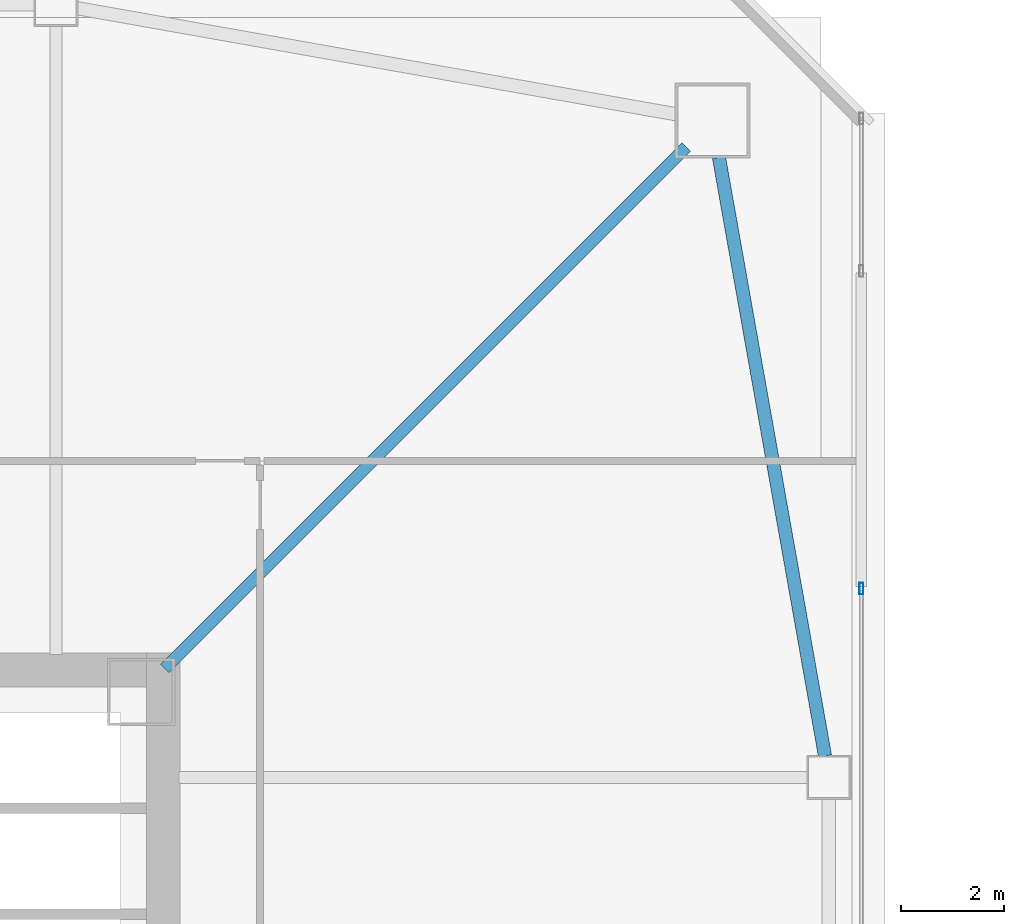
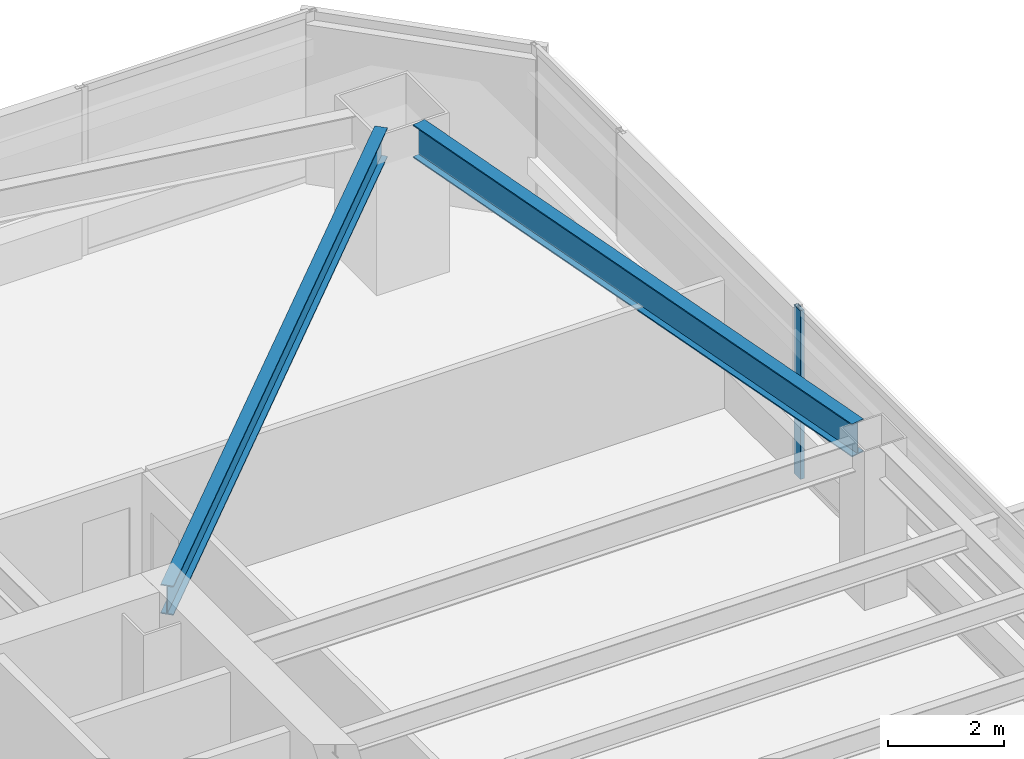
# One storey, part 15 of 47: 2 beams, 1 member, 1 element without a shape of its own.
"""IFC4 building model written with IfcOpenShell, lengths in metres."""

import ifcopenshell
import ifcopenshell.guid

model = None  # the IFC model being written
_history = None  # IfcOwnerHistory: only IFC2X3 demands one
_inside = {}  # id of a spatial element -> (the spatial element, [elements in it])
_under = {}  # id of a project, library or spatial element -> (it, [spatial elements below it])
_declared = {}  # id of a project -> (the project, [libraries it declares])
_typed = {}  # id of a type object -> (the type object, [elements of that type])
_made_of = {}  # id of a material, layer set ... -> (it, [elements and type objects made of it])


def new_model(schema):
    """Start an empty IFC model of exactly this schema.

    Asked for "IFC4X3", IfcOpenShell would pick the latest addendum, in which some entities
    have other attributes; the version numbers below select the first issue.
    IFC2X3 requires an IfcOwnerHistory on every rooted entity: one is made here for all.
    """
    global model, _history
    if schema == "IFC4X3":
        model = ifcopenshell.file(schema_version=(4, 3, 0, 0))
    else:
        model = ifcopenshell.file(schema=schema)
    _inside.clear()
    _under.clear()
    _declared.clear()
    _typed.clear()
    _made_of.clear()
    _history = None
    if model.schema == "IFC2X3":
        org = make("IfcOrganization", Name="unknown")
        user = make(
            "IfcPersonAndOrganization",
            ThePerson=make("IfcPerson", FamilyName="unknown"),
            TheOrganization=org,
        )
        app = make(
            "IfcApplication",
            ApplicationDeveloper=org,
            Version="unknown",
            ApplicationFullName="unknown",
            ApplicationIdentifier="unknown",
        )
        _history = make(
            "IfcOwnerHistory",
            OwningUser=user,
            OwningApplication=app,
            ChangeAction="ADDED",
            CreationDate=0,
        )
    return model


def make(cls, **values):
    """One entity of the class cls with the attributes given. An attribute that is None is left unset."""
    return model.create_entity(
        cls, **{name: value for name, value in values.items() if value is not None}
    )


def rooted(cls, **values):
    """An entity with a GlobalId (a new one), such as an element, a storey or a relation."""
    return make(cls, GlobalId=ifcopenshell.guid.new(), OwnerHistory=_history, **values)


def si_unit(unit_type, name, prefix=None):
    """IfcSIUnit, for example si_unit("LENGTHUNIT", "METRE", prefix="MILLI")."""
    return make("IfcSIUnit", UnitType=unit_type, Prefix=prefix, Name=name)


def assignment(units):
    """IfcUnitAssignment: the units of a project."""
    return None if units is None else make("IfcUnitAssignment", Units=units)


def point(xyz):
    """IfcCartesianPoint."""
    return None if xyz is None else make("IfcCartesianPoint", Coordinates=xyz)


def direction(xyz):
    """IfcDirection."""
    return None if xyz is None else make("IfcDirection", DirectionRatios=xyz)


def frame(location, z_axis=None, x_axis=None):
    """IfcAxis2Placement3D, a coordinate frame: its origin and axes. An axis left out is left unset."""
    return make(
        "IfcAxis2Placement3D",
        Location=point(location),
        Axis=direction(z_axis),
        RefDirection=direction(x_axis),
    )


def frame_2d(location, x_axis=None):
    """IfcAxis2Placement2D, a coordinate frame in the plane: its origin and x axis."""
    return make(
        "IfcAxis2Placement2D", Location=point(location), RefDirection=direction(x_axis)
    )


def origin():
    """The frame at (0, 0, 0) with its axes left unset."""
    return frame((0.0, 0.0, 0.0))


def origin_2d():
    """The frame at (0, 0) in the plane with its x axis left unset."""
    return frame_2d((0.0, 0.0))


def place(relative_to, where):
    """IfcLocalPlacement: puts the frame where relative to a parent placement (None: the world)."""
    return make(
        "IfcLocalPlacement", PlacementRelTo=relative_to, RelativePlacement=where
    )


def context(
    kind, dimensions, precision=None, world=None, true_north=None, identifier=None
):
    """IfcGeometricRepresentationContext, for example the 3D "Model" context."""
    return make(
        "IfcGeometricRepresentationContext",
        ContextIdentifier=identifier,
        ContextType=kind,
        CoordinateSpaceDimension=dimensions,
        Precision=precision,
        WorldCoordinateSystem=world,
        TrueNorth=true_north,
    )


def subcontext(parent, identifier, kind, view, scale=None):
    """IfcGeometricRepresentationSubContext, for example "Body" below "Model"."""
    return make(
        "IfcGeometricRepresentationSubContext",
        ContextIdentifier=identifier,
        ContextType=kind,
        ParentContext=parent,
        TargetScale=scale,
        TargetView=view,
    )


def project(units=None, contexts=None):
    """IfcProject with its units and contexts."""
    return rooted(
        "IfcProject",
        Name="project",
        RepresentationContexts=contexts,
        UnitsInContext=assignment(units),
    )


def spatial(cls, under=None, at=None, **own):
    """A site, building, storey or space (cls), placed at a placement, below another one or the project."""
    s = rooted(cls, ObjectPlacement=at, **own)
    if under is not None:
        _under.setdefault(under.id(), (under, []))[1].append(s)
    return s


def profile(cls, at=None, kind="AREA", **sizes):
    """A parametric profile (cls). Its sizes go by their IFC names, for example OverallWidth=200.0."""
    return make(cls, ProfileType=kind, Position=at, **sizes)


def hollow_rectangle(**sizes):
    """IfcRectangleHollowProfileDef."""
    return profile("IfcRectangleHollowProfileDef", **sizes)


def i_section(**sizes):
    """IfcIShapeProfileDef."""
    return profile("IfcIShapeProfileDef", **sizes)


def extrude(swept, where, along, depth):
    """IfcExtrudedAreaSolid: the profile swept, set in the frame where, extruded along a direction by depth."""
    return make(
        "IfcExtrudedAreaSolid",
        SweptArea=swept,
        Position=where,
        ExtrudedDirection=direction(along),
        Depth=depth,
    )


def shape(context_of_items, identifier, shape_type, items):
    """IfcShapeRepresentation: the items that make up one representation, for example the "Body"."""
    return make(
        "IfcShapeRepresentation",
        ContextOfItems=context_of_items,
        RepresentationIdentifier=identifier,
        RepresentationType=shape_type,
        Items=items,
    )


def material(Name=None, Category=None):
    """IfcMaterial."""
    return make("IfcMaterial", Name=Name, Category=Category)


def material_profile(
    of_material, cross_section, Name=None, Category=None, Priority=None
):
    """IfcMaterialProfile: a cross section and its material."""
    return make(
        "IfcMaterialProfile",
        Name=Name,
        Material=of_material,
        Profile=cross_section,
        Priority=Priority,
        Category=Category,
    )


def profile_set(profiles, Name=None, composite=None):
    """IfcMaterialProfileSet."""
    return make(
        "IfcMaterialProfileSet",
        Name=Name,
        MaterialProfiles=profiles,
        CompositeProfile=composite,
    )


def made_of(thing, what):
    """Note that an element or type object is made of a material, layer set ...; save() writes the relation."""
    if what is not None:
        _made_of.setdefault(what.id(), (what, []))[1].append(thing)
    return thing


def type_object(cls, material=None, **own):
    """A type object (cls), such as IfcWallType, which elements share."""
    return made_of(rooted(cls, **own), material)


def element(
    cls,
    number,
    at=None,
    inside=None,
    cuts=None,
    type_object=None,
    material=None,
    context=None,
    identifier="Body",
    shape_type=None,
    held_by="IfcProductDefinitionShape",
    body=None,
    shapes=None,
    **own,
):
    """One element of the class cls, such as IfcWall. Its Tag is "e" and its number.

    at: its placement. inside: the storey or other place that contains it. cuts: it is an
    opening in that element (IfcRelVoidsElement). A single representation is given by context,
    identifier, shape_type and body (its items); several are given by shapes. held_by: the class
    of the entity that holds the representations. save() writes the other relations.
    """
    e = rooted(cls, Tag="e%d" % number, ObjectPlacement=at, **own)
    if body is not None:
        shapes = [shape(context, identifier, shape_type, body)]
    if shapes is not None:
        e.Representation = make(held_by, Representations=shapes)
    if inside is not None:
        _inside.setdefault(inside.id(), (inside, []))[1].append(e)
    if cuts is not None:
        rooted(
            "IfcRelVoidsElement", RelatingBuildingElement=cuts, RelatedOpeningElement=e
        )
    if type_object is not None:
        _typed.setdefault(type_object.id(), (type_object, []))[1].append(e)
    return made_of(e, material)


def aggregate(whole, parts):
    """IfcRelAggregates: a whole, such as a stair, and the parts it consists of."""
    return rooted("IfcRelAggregates", RelatingObject=whole, RelatedObjects=parts)


def save(model, path):
    """Write the relations noted so far, then the file.

    IfcRelAggregates (storeys below a building ...), IfcRelContainedInSpatialStructure (elements
    in a storey), IfcRelDefinesByType, IfcRelAssociatesMaterial and IfcRelDeclares: one each for
    every whole, place, type object, material and project.
    """
    for whole, parts in _under.values():
        aggregate(whole, parts)
    for where, things in _inside.values():
        rooted(
            "IfcRelContainedInSpatialStructure",
            RelatedElements=things,
            RelatingStructure=where,
        )
    for kind, things in _typed.values():
        rooted("IfcRelDefinesByType", RelatedObjects=things, RelatingType=kind)
    for what, things in _made_of.values():
        rooted("IfcRelAssociatesMaterial", RelatedObjects=things, RelatingMaterial=what)
    for by, libraries in _declared.values():
        rooted("IfcRelDeclares", RelatingContext=by, RelatedDefinitions=libraries)
    model.write(path)


model = new_model("IFC4")

# Units and contexts
model_context = context("Model", 3, precision=1e-05, world=origin(), true_north=direction((0.0, 1.0)))
body_context = subcontext(model_context, "Body", "Model", "MODEL_VIEW")
ifc_project = project(units=[si_unit("LENGTHUNIT", "METRE"), si_unit("AREAUNIT", "SQUARE_METRE"), si_unit("VOLUMEUNIT", "CUBIC_METRE"), si_unit("PLANEANGLEUNIT", "RADIAN"), si_unit("MASSUNIT", "GRAM", prefix="KILO")], contexts=[model_context])

# Site, building, storey
site_placement = place(None, origin())
site = spatial("IfcSite", under=ifc_project, at=site_placement, CompositionType="ELEMENT")
building_placement = place(site_placement, origin())
building = spatial("IfcBuilding", under=site, at=building_placement, Name="Tashvorn Skyway Center", CompositionType="ELEMENT")
storey_placement = place(building_placement, frame((0.0, 0.0, 81.39990234375)))
storey = spatial("IfcBuildingStorey", under=building, at=storey_placement, Name="L21", CompositionType="ELEMENT", Elevation=81.39990234375)

# Beams
ifc_material_1 = material(Name="Steel ASTM A992 Grade 50", Category="steel")
ifc_material_profile_1 = material_profile(ifc_material_1, i_section(OverallWidth=0.22998046875, OverallDepth=0.616943359375, WebThickness=0.01318359375, FlangeThickness=0.022216796875, at=origin_2d()), Name="W24X94")
ifc_profile_set_1 = profile_set([ifc_material_profile_1], Name="Steel ASTM A992 Grade 50")
beam_type_1 = type_object("IfcBeamType", Name="BM-BEAM-W24X94", PredefinedType="BEAM", material=ifc_profile_set_1)
beam_1_placement = place(storey_placement, frame((59.5908203125, 49.5908203125, 3.04150390625), z_axis=(-0.707106781187, -0.707106781187, 0.0), x_axis=(0.707106781187, -0.707106781187, 0.0)))
element("IfcBeam", 1, at=beam_1_placement, inside=storey, type_object=beam_type_1, Name="Tower 1 L21 Primary Floor Girder MC-NE", PredefinedType="BEAM", context=body_context, shape_type="SweptSolid", body=[
    extrude(i_section(OverallWidth=0.22998046875, OverallDepth=0.616943359375, WebThickness=0.01318359375, FlangeThickness=0.022216796875, at=origin_2d()), origin(), (0.0, 0.0, 1.0), 14.261962890625),
])
ifc_material_profile_2 = material_profile(ifc_material_1, i_section(OverallWidth=0.256103515625, OverallDepth=0.693115234375, WebThickness=0.014404296875, FlangeThickness=0.023681640625, at=origin_2d()), Name="W27X114")
ifc_profile_set_2 = profile_set([ifc_material_profile_2], Name="Steel ASTM A992 Grade 50")
beam_type_2 = type_object("IfcBeamType", Name="BM-SPANDREL-W27X114", PredefinedType="SPANDREL", material=ifc_profile_set_2)
beam_2_placement = place(storey_placement, frame((62.276611328125, 37.8134765625, 3.003662109375), z_axis=(-0.174437966698, 0.98466816531, 0.0), x_axis=(-0.98466816531, -0.174437966698, 0.0)))
element("IfcBeam", 2, at=beam_2_placement, inside=storey, type_object=beam_type_2, Name="Tower 1 L21 Spandrel Beam 06", PredefinedType="SPANDREL", context=body_context, shape_type="SweptSolid", body=[
    extrude(i_section(OverallWidth=0.256103515625, OverallDepth=0.693115234375, WebThickness=0.014404296875, FlangeThickness=0.023681640625, at=origin_2d()), origin(), (0.0, 0.0, 1.0), 11.7578125),
])

# Curtain wall, member
ifc_material_2 = material(Name="Thermally broken bronze-anodized aluminium 6063-T6", Category="aluminium")
curtain_wall_type = type_object("IfcCurtainWallType", Name="CW-CW-Z2", PredefinedType="NOTDEFINED", material=ifc_material_2)
curtain_wall_placement = place(storey_placement, origin())
curtain_wall = element("IfcCurtainWall", 3, at=curtain_wall_placement, inside=storey, type_object=curtain_wall_type, Name="Tower 1 L21 East Unitised Curtain Wall Glazing Group 2", PredefinedType="NOTDEFINED")
ifc_material_profile_3 = material_profile(ifc_material_2, hollow_rectangle(XDim=0.080078125, YDim=0.219970703125, WallThickness=0.0048828125, at=origin_2d()), Name="ALU-MULL-80x220")
ifc_profile_set_3 = profile_set([ifc_material_profile_3], Name="Thermally broken bronze-anodized aluminium 6063-T6")
member_type = type_object("IfcMemberType", Name="CWM-CW-Z2", PredefinedType="MULLION", material=ifc_profile_set_3)
member_placement = place(storey_placement, frame((62.97998046875, 41.050048828125, 0.0), z_axis=(0.0, 0.0, 1.0), x_axis=(1.0, 0.0, 0.0)))
member = element("IfcMember", 4, at=member_placement, type_object=member_type, Name="CW-Z2 mullion 1", PredefinedType="MULLION", context=body_context, shape_type="SweptSolid", body=[
    extrude(hollow_rectangle(XDim=0.080078125, YDim=0.219970703125, WallThickness=0.0048828125, at=origin_2d()), origin(), (0.0, 0.0, 1.0), 3.550048828125),
])
aggregate(curtain_wall, [member])

save(model, "model.ifc")
